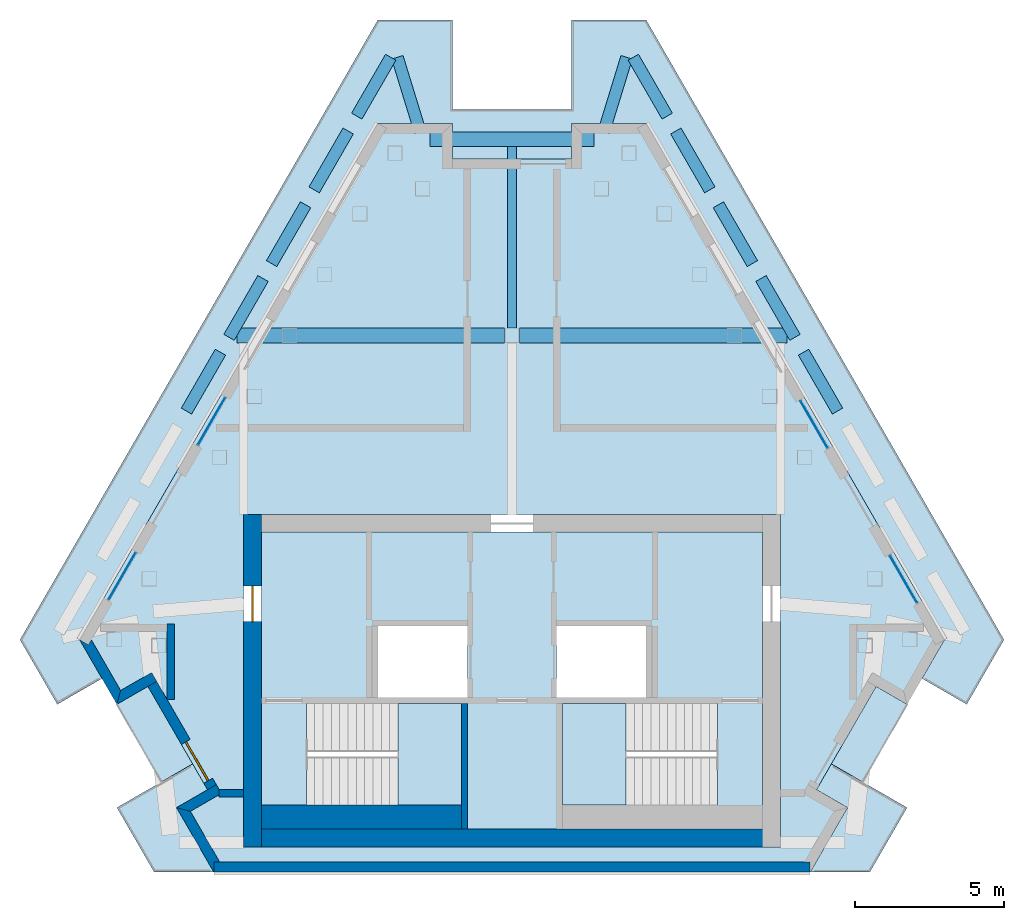
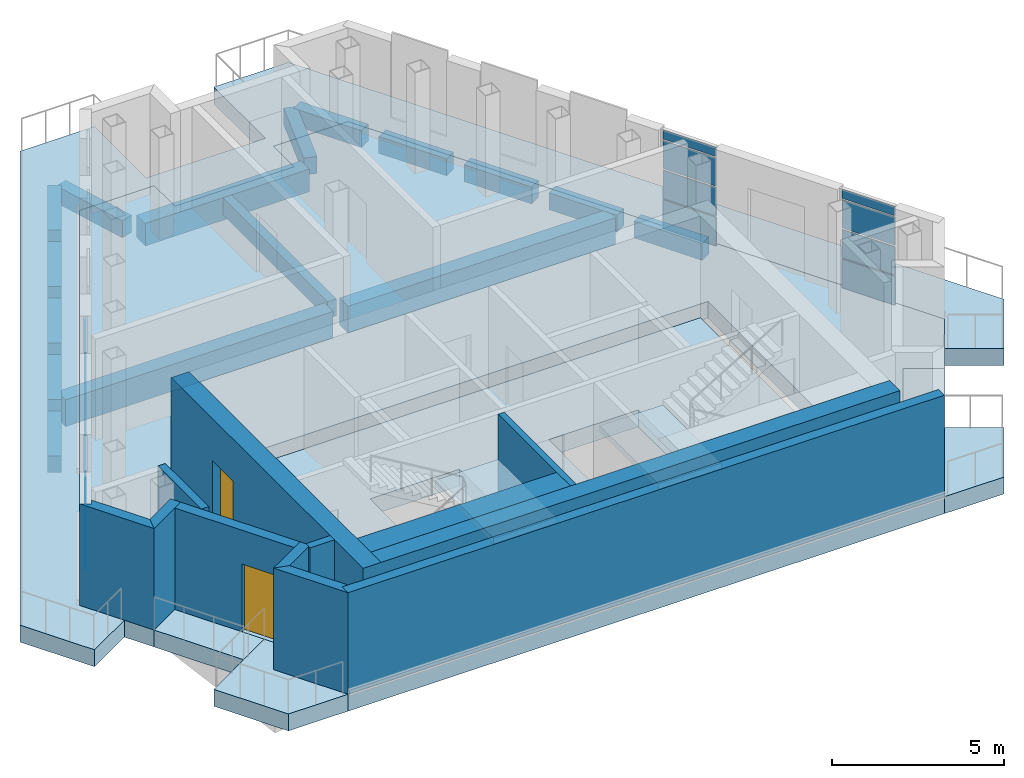
# One storey, part 4 of 7: 16 beams, 16 plates, 12 walls, 9 slabs, 2 doors, 2 openings, 6 elements without a shape of their own.
"""IFC4 building model written with IfcOpenShell, lengths in metres."""

from ifc_helpers import new_model, si_unit, direction, frame, frame_2d, origin, origin_2d, place, context, subcontext, project, spatial, polyline, rectangle, outline, extrude, material, layer, layer_set, material_profile, profile_set, type_object, element, fill, aggregate, save


model = new_model("IFC4")

# Units and contexts
model_context = context("Model", 3, precision=1e-05, world=origin(), true_north=direction((0.0, 1.0)))
body_context = subcontext(model_context, "Body", "Model", "MODEL_VIEW")
ifc_project = project(units=[si_unit("LENGTHUNIT", "METRE"), si_unit("AREAUNIT", "SQUARE_METRE"), si_unit("VOLUMEUNIT", "CUBIC_METRE"), si_unit("PLANEANGLEUNIT", "RADIAN"), si_unit("MASSUNIT", "GRAM", prefix="KILO")], contexts=[model_context])

# Site, building, storey
site_placement = place(None, origin())
site = spatial("IfcSite", under=ifc_project, at=site_placement, CompositionType="ELEMENT")
building_placement = place(site_placement, origin())
building = spatial("IfcBuilding", under=site, at=building_placement, Name="Fogline Exchange Tower", CompositionType="ELEMENT")
storey_placement = place(building_placement, frame((0.0, 0.0, 359.60009765625)))
storey = spatial("IfcBuildingStorey", under=building, at=storey_placement, Name="L81", CompositionType="ELEMENT", Elevation=359.60009765625)

# Beams
ifc_material_1 = material(Name="Concrete C40", Category="concrete")
ifc_material_profile_1 = material_profile(ifc_material_1, rectangle(XDim=0.300048828125, YDim=0.60009765625, at=origin_2d()), Name="RC 300x600")
ifc_profile_set_1 = profile_set([ifc_material_profile_1], Name="Concrete C40")
beam_type_1 = type_object("IfcBeamType", Name="B06", PredefinedType="BEAM", material=ifc_profile_set_1)
beam_1_placement = place(storey_placement, frame((0.0, 18.25, -0.900146484375), z_axis=(0.0, 1.0, 0.0), x_axis=(-1.0, 0.0, 0.0)))
element("IfcBeam", 1, at=beam_1_placement, inside=storey, type_object=beam_type_1, Name="SB003", PredefinedType="BEAM", context=body_context, shape_type="SweptSolid", body=[
    extrude(rectangle(XDim=0.300048828125, YDim=0.60009765625, at=origin_2d()), origin(), (0.0, 0.0, 1.0), 6.078857421875),
])
ifc_material_profile_2 = material_profile(ifc_material_1, rectangle(XDim=0.5, YDim=0.800048828125, at=origin_2d()), Name="RC 500x800")
ifc_profile_set_2 = profile_set([ifc_material_profile_2], Name="Concrete C40")
beam_type_2 = type_object("IfcBeamType", Name="B10", PredefinedType="BEAM", material=ifc_profile_set_2)
beam_2_placement = place(storey_placement, frame((2.75, 24.578857421875, -1.0), z_axis=(-1.0, 0.0, 0.0), x_axis=(0.0, -1.0, 0.0)))
element("IfcBeam", 2, at=beam_2_placement, inside=storey, type_object=beam_type_2, Name="RB016", PredefinedType="BEAM", context=body_context, shape_type="SweptSolid", body=[
    extrude(rectangle(XDim=0.5, YDim=0.800048828125, at=origin_2d()), origin(), (0.0, 0.0, 1.0), 5.5),
])
ifc_material_profile_3 = material_profile(ifc_material_1, rectangle(XDim=0.39990234375, YDim=0.60009765625, at=origin_2d()), Name="RC 400x600")
ifc_profile_set_3 = profile_set([ifc_material_profile_3], Name="Concrete C40")
beam_type_3 = type_object("IfcBeamType", Name="B11", PredefinedType="BEAM", material=ifc_profile_set_3)
for number, where, z_axis, x_axis, name in (
    (3, (10.91748046875, 15.46337890625, -0.900146484375), (-0.499988356774, 0.8660321259, 0.0), (-0.8660321259, -0.499988356774, 0.0), "RB010"),
    (4, (9.489501953125, 17.9365234375, -0.900146484375), (-0.499907982315, 0.866078523702, 0.0), (-0.866078523702, -0.499907982315, 0.0), "RB011"),
    (5, (8.061767578125, 20.40966796875, -0.900146484375), (-0.499988356774, 0.8660321259, 0.0), (-0.8660321259, -0.499988356774, 0.0), "RB012"),
):
    element("IfcBeam", number, at=place(storey_placement, frame(where, z_axis=z_axis, x_axis=x_axis)), inside=storey, type_object=beam_type_3, Name=name, PredefinedType="BEAM", context=body_context, shape_type="SweptSolid", body=[
        extrude(rectangle(XDim=0.39990234375, YDim=0.60009765625, at=origin_2d()), origin(), (0.0, 0.0, 1.0), 2.2783203125),
    ])
beam_3_placement = place(storey_placement, frame((6.634033203125, 22.8828125, -0.900146484375), z_axis=(-0.500034759408, 0.866005334501, 0.0), x_axis=(-0.866005334501, -0.500034759408, 0.0)))
element("IfcBeam", 6, at=beam_3_placement, inside=storey, type_object=beam_type_3, Name="RB013", PredefinedType="BEAM", context=body_context, shape_type="SweptSolid", body=[
    extrude(rectangle(XDim=0.39990234375, YDim=0.60009765625, at=origin_2d()), origin(), (0.0, 0.0, 1.0), 2.278076171875),
])
beam_4_placement = place(storey_placement, frame((5.2060546875, 25.355712890625, -0.900146484375), z_axis=(-0.499988356774, 0.8660321259, 0.0), x_axis=(-0.8660321259, -0.499988356774, 0.0)))
element("IfcBeam", 7, at=beam_4_placement, inside=storey, type_object=beam_type_3, Name="RB014", PredefinedType="BEAM", context=body_context, shape_type="SweptSolid", body=[
    extrude(rectangle(XDim=0.39990234375, YDim=0.60009765625, at=origin_2d()), origin(), (0.0, 0.0, 1.0), 2.2783203125),
])
for number, where, z_axis, x_axis, name in (
    (8, (3.845703125, 27.328857421875, -0.900146484375), (-0.293934983794, -0.955825415702, 0.0), (0.955825415702, -0.293934983794, 0.0), "RB015"),
    (9, (-3.076904296875, 24.828857421875, -0.900146484375), (-0.293934983794, 0.955825415702, 0.0), (-0.955825415702, -0.293934983794, 0.0), "RB017"),
):
    element("IfcBeam", number, at=place(storey_placement, frame(where, z_axis=z_axis, x_axis=x_axis)), inside=storey, type_object=beam_type_3, Name=name, PredefinedType="BEAM", context=body_context, shape_type="SweptSolid", body=[
        extrude(rectangle(XDim=0.39990234375, YDim=0.60009765625, at=origin_2d()), origin(), (0.0, 0.0, 1.0), 2.615478515625),
    ])
beam_5_placement = place(storey_placement, frame((-4.06689453125, 27.328857421875, -0.900146484375), z_axis=(-0.499988356774, -0.8660321259, 0.0), x_axis=(0.8660321259, -0.499988356774, 0.0)))
element("IfcBeam", 10, at=beam_5_placement, inside=storey, type_object=beam_type_3, Name="RB018", PredefinedType="BEAM", context=body_context, shape_type="SweptSolid", body=[
    extrude(rectangle(XDim=0.39990234375, YDim=0.60009765625, at=origin_2d()), origin(), (0.0, 0.0, 1.0), 2.2783203125),
])
beam_6_placement = place(storey_placement, frame((-5.494873046875, 24.855712890625, -0.900146484375), z_axis=(-0.500034759408, -0.866005334501, 0.0), x_axis=(0.866005334501, -0.500034759408, 0.0)))
element("IfcBeam", 11, at=beam_6_placement, inside=storey, type_object=beam_type_3, Name="RB019", PredefinedType="BEAM", context=body_context, shape_type="SweptSolid", body=[
    extrude(rectangle(XDim=0.39990234375, YDim=0.60009765625, at=origin_2d()), origin(), (0.0, 0.0, 1.0), 2.278076171875),
])
for number, where, z_axis, x_axis, name in (
    (12, (-6.922607421875, 22.3828125, -0.900146484375), (-0.499988356774, -0.8660321259, 0.0), (0.8660321259, -0.499988356774, 0.0), "RB020"),
    (13, (-8.3505859375, 19.90966796875, -0.900146484375), (-0.499907982315, -0.866078523702, 0.0), (0.866078523702, -0.499907982315, 0.0), "RB021"),
    (14, (-9.7783203125, 17.4365234375, -0.900146484375), (-0.499988356774, -0.8660321259, 0.0), (0.8660321259, -0.499988356774, 0.0), "RB022"),
):
    element("IfcBeam", number, at=place(storey_placement, frame(where, z_axis=z_axis, x_axis=x_axis)), inside=storey, type_object=beam_type_3, Name=name, PredefinedType="BEAM", context=body_context, shape_type="SweptSolid", body=[
        extrude(rectangle(XDim=0.39990234375, YDim=0.60009765625, at=origin_2d()), origin(), (0.0, 0.0, 1.0), 2.2783203125),
    ])
ifc_material_profile_4 = material_profile(ifc_material_1, rectangle(XDim=0.5, YDim=0.949951171875, at=origin_2d()), Name="RC 500x950")
ifc_profile_set_4 = profile_set([ifc_material_profile_4], Name="Concrete C40")
beam_type_4 = type_object("IfcBeamType", Name="B14", PredefinedType="BEAM", material=ifc_profile_set_4)
for number, where, z_axis, x_axis, name in (
    (15, (-9.22216796875, 18.0, -1.0751953125), (1.0, 0.0, 0.0), (0.0, 1.0, 0.0), "GB003"),
    (16, (0.25, 18.0, -1.0751953125), (1.0, 0.0, 0.0), (0.0, 1.0, 0.0), "GB004"),
):
    element("IfcBeam", number, at=place(storey_placement, frame(where, z_axis=z_axis, x_axis=x_axis)), inside=storey, type_object=beam_type_4, Name=name, PredefinedType="BEAM", context=body_context, shape_type="SweptSolid", body=[
        extrude(rectangle(XDim=0.5, YDim=0.949951171875, at=origin_2d()), origin(), (0.0, 0.0, 1.0), 8.97216796875),
    ])

# Curtain wall, plates
ifc_material_2 = material(Name="Aluminium and glass", Category="aluminium")
curtain_wall_type = type_object("IfcCurtainWallType", Name="CW6", PredefinedType="NOTDEFINED", material=ifc_material_2)
curtain_wall_1_placement = place(storey_placement, origin())
curtain_wall_1 = element("IfcCurtainWall", 17, at=curtain_wall_1_placement, inside=storey, type_object=curtain_wall_type, Name="CW6 L81 E run 1", PredefinedType="NOTDEFINED")
ifc_material_3 = material(Name="Glass", Category="glass")
ifc_layer_1 = layer(ifc_material_3, 0.02587890625)
ifc_layer_set_1 = layer_set([ifc_layer_1], Name="CW6-P")
plate_type = type_object("IfcPlateType", Name="CW6-P", PredefinedType="CURTAIN_PANEL", material=ifc_layer_set_1)
plate_1_placement = place(storey_placement, frame((13.131591796875, 9.824462890625, 0.054931640625), z_axis=(0.0, 0.0, 1.0), x_axis=(-0.500001811561, 0.866024357877, 0.0)))
plate_1 = element("IfcPlate", 18, at=plate_1_placement, type_object=plate_type, Name="CW6-L81-01 panel 1.1", PredefinedType="CURTAIN_PANEL", context=body_context, shape_type="SweptSolid", body=[
    extrude(rectangle(XDim=1.784912109375, YDim=0.02587890625, at=origin_2d()), origin(), (0.0, 0.0, 1.0), 1.017578125),
])
plate_2_placement = place(storey_placement, frame((13.131591796875, 9.824462890625, 1.12744140625), z_axis=(0.0, 0.0, 1.0), x_axis=(-0.500001811561, 0.866024357877, 0.0)))
plate_2 = element("IfcPlate", 19, at=plate_2_placement, type_object=plate_type, Name="CW6-L81-01 panel 1.2", PredefinedType="CURTAIN_PANEL", context=body_context, shape_type="SweptSolid", body=[
    extrude(rectangle(XDim=1.784912109375, YDim=0.02587890625, at=origin_2d()), origin(), (0.0, 0.0, 1.0), 0.9951171875),
])
plate_3_placement = place(storey_placement, frame((13.131591796875, 9.824462890625, 2.17724609375), z_axis=(0.0, 0.0, 1.0), x_axis=(-0.500001811561, 0.866024357877, 0.0)))
plate_3 = element("IfcPlate", 20, at=plate_3_placement, type_object=plate_type, Name="CW6-L81-01 panel 1.3", PredefinedType="CURTAIN_PANEL", context=body_context, shape_type="SweptSolid", body=[
    extrude(rectangle(XDim=1.784912109375, YDim=0.02587890625, at=origin_2d()), origin(), (0.0, 0.0, 1.0), 0.9951171875),
])
plate_4_placement = place(storey_placement, frame((13.131591796875, 9.824462890625, 3.2275390625), z_axis=(0.0, 0.0, 1.0), x_axis=(-0.500001811561, 0.866024357877, 0.0)))
plate_4 = element("IfcPlate", 21, at=plate_4_placement, type_object=plate_type, Name="CW6-L81-01 panel 1.4", PredefinedType="CURTAIN_PANEL", context=body_context, shape_type="SweptSolid", body=[
    extrude(rectangle(XDim=1.784912109375, YDim=0.02587890625, at=origin_2d()), origin(), (0.0, 0.0, 1.0), 0.3173828125),
])
aggregate(curtain_wall_1, [plate_1, plate_2, plate_3, plate_4])

curtain_wall_2_placement = place(storey_placement, origin())
curtain_wall_2 = element("IfcCurtainWall", 22, at=curtain_wall_2_placement, inside=storey, type_object=curtain_wall_type, Name="CW6 L81 E run 2", PredefinedType="NOTDEFINED")
plate_5_placement = place(storey_placement, frame((10.131591796875, 15.020751953125, 0.054931640625), z_axis=(0.0, 0.0, 1.0), x_axis=(-0.499999514416, 0.866025684137, 0.0)))
plate_5 = element("IfcPlate", 23, at=plate_5_placement, type_object=plate_type, Name="CW6-L81-02 panel 1.1", PredefinedType="CURTAIN_PANEL", context=body_context, shape_type="SweptSolid", body=[
    extrude(rectangle(XDim=1.784912109375, YDim=0.02587890625, at=origin_2d()), origin(), (0.0, 0.0, 1.0), 1.017578125),
])
plate_6_placement = place(storey_placement, frame((10.131591796875, 15.020751953125, 1.12744140625), z_axis=(0.0, 0.0, 1.0), x_axis=(-0.499999514416, 0.866025684137, 0.0)))
plate_6 = element("IfcPlate", 24, at=plate_6_placement, type_object=plate_type, Name="CW6-L81-02 panel 1.2", PredefinedType="CURTAIN_PANEL", context=body_context, shape_type="SweptSolid", body=[
    extrude(rectangle(XDim=1.784912109375, YDim=0.02587890625, at=origin_2d()), origin(), (0.0, 0.0, 1.0), 0.9951171875),
])
plate_7_placement = place(storey_placement, frame((10.131591796875, 15.020751953125, 2.17724609375), z_axis=(0.0, 0.0, 1.0), x_axis=(-0.499999514416, 0.866025684137, 0.0)))
plate_7 = element("IfcPlate", 25, at=plate_7_placement, type_object=plate_type, Name="CW6-L81-02 panel 1.3", PredefinedType="CURTAIN_PANEL", context=body_context, shape_type="SweptSolid", body=[
    extrude(rectangle(XDim=1.784912109375, YDim=0.02587890625, at=origin_2d()), origin(), (0.0, 0.0, 1.0), 0.9951171875),
])
plate_8_placement = place(storey_placement, frame((10.131591796875, 15.020751953125, 3.2275390625), z_axis=(0.0, 0.0, 1.0), x_axis=(-0.499999514416, 0.866025684137, 0.0)))
plate_8 = element("IfcPlate", 26, at=plate_8_placement, type_object=plate_type, Name="CW6-L81-02 panel 1.4", PredefinedType="CURTAIN_PANEL", context=body_context, shape_type="SweptSolid", body=[
    extrude(rectangle(XDim=1.784912109375, YDim=0.02587890625, at=origin_2d()), origin(), (0.0, 0.0, 1.0), 0.3173828125),
])
aggregate(curtain_wall_2, [plate_5, plate_6, plate_7, plate_8])

curtain_wall_3_placement = place(storey_placement, origin())
curtain_wall_3 = element("IfcCurtainWall", 27, at=curtain_wall_3_placement, inside=storey, type_object=curtain_wall_type, Name="CW6 L81 W run 1", PredefinedType="NOTDEFINED")
plate_9_placement = place(storey_placement, frame((-10.073974609375, 15.120361328125, 0.054931640625), z_axis=(0.0, 0.0, 1.0), x_axis=(-0.499999514416, -0.866025684137, 0.0)))
plate_9 = element("IfcPlate", 28, at=plate_9_placement, type_object=plate_type, Name="CW6-L81-03 panel 1.1", PredefinedType="CURTAIN_PANEL", context=body_context, shape_type="SweptSolid", body=[
    extrude(rectangle(XDim=1.784912109375, YDim=0.02587890625, at=origin_2d()), origin(), (0.0, 0.0, 1.0), 1.017578125),
])
plate_10_placement = place(storey_placement, frame((-10.073974609375, 15.120361328125, 1.12744140625), z_axis=(0.0, 0.0, 1.0), x_axis=(-0.499999514416, -0.866025684137, 0.0)))
plate_10 = element("IfcPlate", 29, at=plate_10_placement, type_object=plate_type, Name="CW6-L81-03 panel 1.2", PredefinedType="CURTAIN_PANEL", context=body_context, shape_type="SweptSolid", body=[
    extrude(rectangle(XDim=1.784912109375, YDim=0.02587890625, at=origin_2d()), origin(), (0.0, 0.0, 1.0), 0.9951171875),
])
plate_11_placement = place(storey_placement, frame((-10.073974609375, 15.120361328125, 2.17724609375), z_axis=(0.0, 0.0, 1.0), x_axis=(-0.499999514416, -0.866025684137, 0.0)))
plate_11 = element("IfcPlate", 30, at=plate_11_placement, type_object=plate_type, Name="CW6-L81-03 panel 1.3", PredefinedType="CURTAIN_PANEL", context=body_context, shape_type="SweptSolid", body=[
    extrude(rectangle(XDim=1.784912109375, YDim=0.02587890625, at=origin_2d()), origin(), (0.0, 0.0, 1.0), 0.9951171875),
])
plate_12_placement = place(storey_placement, frame((-10.073974609375, 15.120361328125, 3.2275390625), z_axis=(0.0, 0.0, 1.0), x_axis=(-0.499999514416, -0.866025684137, 0.0)))
plate_12 = element("IfcPlate", 31, at=plate_12_placement, type_object=plate_type, Name="CW6-L81-03 panel 1.4", PredefinedType="CURTAIN_PANEL", context=body_context, shape_type="SweptSolid", body=[
    extrude(rectangle(XDim=1.784912109375, YDim=0.02587890625, at=origin_2d()), origin(), (0.0, 0.0, 1.0), 0.3173828125),
])
aggregate(curtain_wall_3, [plate_9, plate_10, plate_11, plate_12])

curtain_wall_4_placement = place(storey_placement, origin())
curtain_wall_4 = element("IfcCurtainWall", 32, at=curtain_wall_4_placement, inside=storey, type_object=curtain_wall_type, Name="CW6 L81 W run 2", PredefinedType="NOTDEFINED")
plate_13_placement = place(storey_placement, frame((-13.073974609375, 9.924072265625, 0.054931640625), z_axis=(0.0, 0.0, 1.0), x_axis=(-0.499999514416, -0.866025684137, 0.0)))
plate_13 = element("IfcPlate", 33, at=plate_13_placement, type_object=plate_type, Name="CW6-L81-04 panel 1.1", PredefinedType="CURTAIN_PANEL", context=body_context, shape_type="SweptSolid", body=[
    extrude(rectangle(XDim=1.784912109375, YDim=0.02587890625, at=origin_2d()), origin(), (0.0, 0.0, 1.0), 1.017578125),
])
plate_14_placement = place(storey_placement, frame((-13.073974609375, 9.924072265625, 1.12744140625), z_axis=(0.0, 0.0, 1.0), x_axis=(-0.499999514416, -0.866025684137, 0.0)))
plate_14 = element("IfcPlate", 34, at=plate_14_placement, type_object=plate_type, Name="CW6-L81-04 panel 1.2", PredefinedType="CURTAIN_PANEL", context=body_context, shape_type="SweptSolid", body=[
    extrude(rectangle(XDim=1.784912109375, YDim=0.02587890625, at=origin_2d()), origin(), (0.0, 0.0, 1.0), 0.9951171875),
])
plate_15_placement = place(storey_placement, frame((-13.073974609375, 9.924072265625, 2.17724609375), z_axis=(0.0, 0.0, 1.0), x_axis=(-0.499999514416, -0.866025684137, 0.0)))
plate_15 = element("IfcPlate", 35, at=plate_15_placement, type_object=plate_type, Name="CW6-L81-04 panel 1.3", PredefinedType="CURTAIN_PANEL", context=body_context, shape_type="SweptSolid", body=[
    extrude(rectangle(XDim=1.784912109375, YDim=0.02587890625, at=origin_2d()), origin(), (0.0, 0.0, 1.0), 0.9951171875),
])
plate_16_placement = place(storey_placement, frame((-13.073974609375, 9.924072265625, 3.2275390625), z_axis=(0.0, 0.0, 1.0), x_axis=(-0.499999514416, -0.866025684137, 0.0)))
plate_16 = element("IfcPlate", 36, at=plate_16_placement, type_object=plate_type, Name="CW6-L81-04 panel 1.4", PredefinedType="CURTAIN_PANEL", context=body_context, shape_type="SweptSolid", body=[
    extrude(rectangle(XDim=1.784912109375, YDim=0.02587890625, at=origin_2d()), origin(), (0.0, 0.0, 1.0), 0.3173828125),
])
aggregate(curtain_wall_4, [plate_13, plate_14, plate_15, plate_16])

# Slabs
ifc_layer_2 = layer(ifc_material_1, 0.60009765625)
ifc_layer_set_2 = layer_set([ifc_layer_2], Name="DK5")
slab_type_1 = type_object("IfcSlabType", Name="DK5", PredefinedType="FLOOR", material=ifc_layer_set_2)
slab_1_placement = place(storey_placement, frame((0.0, 0.0, -0.60009765625)))
element("IfcSlab", 37, at=slab_1_placement, inside=storey, type_object=slab_type_1, Name="Niche terrace L81 SW", PredefinedType="FLOOR", context=body_context, shape_type="SweptSolid", body=[
    extrude(outline(polyline([(-13.25, 5.629150390625), (-11.75, 3.031005859375), (-10.710693359375, 3.631103515625), (-10.210693359375, 2.76513671875), (-12.210693359375, 6.229248046875), (-13.25, 5.629150390625)])), origin(), (0.0, 0.0, 1.0), 0.60009765625),
])
slab_2_placement = place(storey_placement, frame((0.0, 0.0, -0.60009765625)))
element("IfcSlab", 38, at=slab_2_placement, inside=storey, type_object=slab_type_1, Name="Niche terrace L81 SE", PredefinedType="FLOOR", context=body_context, shape_type="SweptSolid", body=[
    extrude(outline(polyline([(13.25, 5.629150390625), (12.210693359375, 6.229248046875), (10.210693359375, 2.76513671875), (10.710693359375, 3.631103515625), (11.75, 3.031005859375), (13.25, 5.629150390625)])), origin(), (0.0, 0.0, 1.0), 0.60009765625),
])
ifc_layer_3 = layer(ifc_material_1, 0.60009765625)
ifc_layer_set_3 = layer_set([ifc_layer_3], Name="S09")
slab_type_2 = type_object("IfcSlabType", Name="S09", PredefinedType="FLOOR", material=ifc_layer_set_3)
slab_3_placement = place(storey_placement, frame((0.0, 0.0, -0.60009765625)))
element("IfcSlab", 39, at=slab_3_placement, inside=storey, type_object=slab_type_2, Name="TRANSFER SLAB L81", PredefinedType="FLOOR", context=body_context, shape_type="SweptSolid", body=[
    extrude(outline(polyline([(-4.5, 25.11474609375), (-14.5, 7.794189453125), (-13.25, 5.629150390625), (-12.210693359375, 6.229248046875), (-10.210693359375, 2.76513671875), (-11.25, 2.1650390625), (-10.0, 0.0), (10.0, 0.0), (11.25, 2.1650390625), (10.210693359375, 2.76513671875), (12.210693359375, 6.229248046875), (13.25, 5.629150390625), (14.5, 7.794189453125), (4.5, 25.11474609375), (2.0, 25.11474609375), (2.0, 23.914794921875), (-2.0, 23.914794921875), (-2.0, 25.11474609375), (-4.5, 25.11474609375)]), holes=[polyline([(9.0, 0.85009765625), (-9.0, 0.85009765625), (-9.0, 12.0), (9.0, 12.0), (9.0, 0.85009765625)])]), origin(), (0.0, 0.0, 1.0), 0.60009765625),
])
slab_4_placement = place(storey_placement, frame((0.0, 0.0, -0.60009765625)))
element("IfcSlab", 40, at=slab_4_placement, inside=storey, type_object=slab_type_2, Name="Core floor slab", PredefinedType="FLOOR", context=body_context, shape_type="SweptSolid", body=[
    extrude(outline(polyline([(-8.39990234375, 11.39990234375), (8.39990234375, 11.39990234375), (8.39990234375, 1.449951171875), (-8.39990234375, 1.449951171875), (-8.39990234375, 11.39990234375)]), holes=[polyline([(-6.889892578125, 2.25), (-1.699951171875, 2.25), (-1.699951171875, 5.64990234375), (-6.889892578125, 5.64990234375), (-6.889892578125, 2.25)]), polyline([(1.699951171875, 2.25), (6.889892578125, 2.25), (6.889892578125, 5.64990234375), (1.699951171875, 5.64990234375), (1.699951171875, 2.25)]), polyline([(-4.5, 5.85009765625), (-1.5, 5.85009765625), (-1.5, 8.25), (-4.5, 8.25), (-4.5, 5.85009765625)]), polyline([(1.5, 5.85009765625), (4.5, 5.85009765625), (4.5, 8.25), (1.5, 8.25), (1.5, 5.85009765625)])]), origin(), (0.0, 0.0, 1.0), 0.60009765625),
])
ifc_layer_4 = layer(ifc_material_1, 0.60009765625)
ifc_layer_set_4 = layer_set([ifc_layer_4], Name="S10")
slab_type_3 = type_object("IfcSlabType", Name="S10", PredefinedType="FLOOR", material=ifc_layer_set_4)
slab_5_placement = place(storey_placement, frame((0.0, 0.0, -0.60009765625)))
element("IfcSlab", 41, at=slab_5_placement, inside=storey, type_object=slab_type_3, Name="SLAB L81 TERRACE", PredefinedType="FLOOR", context=body_context, shape_type="SweptSolid", body=[
    extrude(outline(polyline([(-15.25, 5.629150390625), (-13.75, 6.4951171875), (-14.5, 7.794189453125), (-4.5, 25.11474609375), (-2.0, 25.11474609375), (-2.0, 23.914794921875), (2.0, 23.914794921875), (2.0, 25.11474609375), (4.5, 25.11474609375), (14.5, 7.794189453125), (13.75, 6.4951171875), (15.25, 5.629150390625), (16.5, 7.794189453125), (4.5, 28.578857421875), (2.0, 28.578857421875), (2.0, 25.578857421875), (-2.0, 25.578857421875), (-2.0, 28.578857421875), (-4.5, 28.578857421875), (-16.5, 7.794189453125), (-15.25, 5.629150390625)])), origin(), (0.0, 0.0, 1.0), 0.60009765625),
])
slab_6_placement = place(storey_placement, frame((0.0, 0.0, -0.60009765625)))
element("IfcSlab", 42, at=slab_6_placement, inside=storey, type_object=slab_type_3, Name="SLAB L81 TERRACE", PredefinedType="FLOOR", context=body_context, shape_type="SweptSolid", body=[
    extrude(outline(polyline([(-12.0, 0.0), (-10.0, 0.0), (-11.25, 2.1650390625), (-10.210693359375, 2.76513671875), (-10.710693359375, 3.631103515625), (-13.25, 2.1650390625), (-12.0, 0.0)])), origin(), (0.0, 0.0, 1.0), 0.60009765625),
])
slab_7_placement = place(storey_placement, frame((0.0, 0.0, -0.60009765625)))
element("IfcSlab", 43, at=slab_7_placement, inside=storey, type_object=slab_type_3, Name="SLAB L81 TERRACE", PredefinedType="FLOOR", context=body_context, shape_type="SweptSolid", body=[
    extrude(outline(polyline([(13.25, 2.1650390625), (10.710693359375, 3.631103515625), (10.210693359375, 2.76513671875), (11.25, 2.1650390625), (10.0, 0.0), (12.0, 0.0), (13.25, 2.1650390625)])), origin(), (0.0, 0.0, 1.0), 0.60009765625),
])

# Stair, slab
stair_type = type_object("IfcStairType", Name="STR24-1667", PredefinedType="HALF_TURN_STAIR", material=ifc_material_1)
stair_1_placement = place(storey_placement, origin())
stair_1 = element("IfcStair", 44, at=stair_1_placement, inside=storey, type_object=stair_type, Name="Stair CS1", PredefinedType="HALF_TURN_STAIR")
ifc_layer_5 = layer(ifc_material_1, 0.199951171875)
ifc_layer_set_5 = layer_set([ifc_layer_5], Name="SL200")
slab_type_4 = type_object("IfcSlabType", Name="SL200", PredefinedType="LANDING", material=ifc_layer_set_5)
slab_8_placement = place(storey_placement, frame((0.0, 0.0, 1.7998046875)))
slab_8 = element("IfcSlab", 45, at=slab_8_placement, type_object=slab_type_4, Name="CS1 landing 1", PredefinedType="LANDING", context=body_context, shape_type="SweptSolid", body=[
    extrude(outline(polyline([(-3.820068359375, 2.25), (-1.699951171875, 2.25), (-1.699951171875, 5.64990234375), (-3.820068359375, 5.64990234375), (-3.820068359375, 2.25)])), origin(), (0.0, 0.0, 1.0), 0.2001953125),
])
aggregate(stair_1, [slab_8])

stair_2_placement = place(storey_placement, origin())
stair_2 = element("IfcStair", 46, at=stair_2_placement, inside=storey, type_object=stair_type, Name="Stair CS2", PredefinedType="HALF_TURN_STAIR")
slab_9_placement = place(storey_placement, frame((0.0, 0.0, 1.7998046875)))
slab_9 = element("IfcSlab", 47, at=slab_9_placement, type_object=slab_type_4, Name="CS2 landing 1", PredefinedType="LANDING", context=body_context, shape_type="SweptSolid", body=[
    extrude(outline(polyline([(1.699951171875, 2.25), (3.820068359375, 2.25), (3.820068359375, 5.64990234375), (1.699951171875, 5.64990234375), (1.699951171875, 2.25)])), origin(), (0.0, 0.0, 1.0), 0.2001953125),
])
aggregate(stair_2, [slab_9])

# Walls
ifc_layer_6 = layer(ifc_material_1, 0.199951171875)
ifc_layer_set_6 = layer_set([ifc_layer_6], Name="CW20R")
wall_type_1 = type_object("IfcWallType", Name="CW20R", PredefinedType="SOLIDWALL", material=ifc_layer_set_6)
wall_1_placement = place(storey_placement, frame((-1.60009765625, 1.449951171875, -0.60009765625), z_axis=(0.0, 0.0, 1.0), x_axis=(0.0, 1.0, 0.0)))
element("IfcWall", 48, at=wall_1_placement, inside=storey, type_object=wall_type_1, Name="Stair enclosure wall", PredefinedType="SOLIDWALL", context=body_context, shape_type="SweptSolid", body=[
    extrude(rectangle(XDim=4.199951171875, YDim=0.199951171875, at=frame_2d((2.10009765625, 0.0))), origin(), (0.0, 0.0, 1.0), 4.199951171875),
])
ifc_layer_7 = layer(ifc_material_1, 0.800048828125)
ifc_layer_set_7 = layer_set([ifc_layer_7], Name="CW80R")
wall_type_2 = type_object("IfcWallType", Name="CW80R", PredefinedType="SOLIDWALL", material=ifc_layer_set_7)
wall_2_placement = place(storey_placement, frame((-8.39990234375, 1.85009765625, -0.60009765625), z_axis=(0.0, 0.0, 1.0), x_axis=(1.0, 0.0, 0.0)))
element("IfcWall", 49, at=wall_2_placement, inside=storey, type_object=wall_type_2, Name="Stair enclosure wall", PredefinedType="SOLIDWALL", context=body_context, shape_type="SweptSolid", body=[
    extrude(rectangle(XDim=6.699951171875, YDim=0.800048828125, at=frame_2d((3.35009765625, 0.0))), origin(), (0.0, 0.0, 1.0), 4.199951171875),
])
ifc_material_4 = material(Name="Brick masonry", Category="masonry")
ifc_layer_8 = layer(ifc_material_4, 0.340087890625)
ifc_layer_set_8 = layer_set([ifc_layer_8], Name="FW1")
wall_type_3 = type_object("IfcWallType", Name="FW1", PredefinedType="SOLIDWALL", material=ifc_layer_set_8)
wall_3_placement = place(storey_placement, origin())
element("IfcWall", 50, at=wall_3_placement, inside=storey, type_object=wall_type_3, Name="Brick wall L81 SW-c1", PredefinedType="SOLIDWALL", context=body_context, shape_type="SweptSolid", body=[
    extrude(outline(polyline([(-13.25, 5.6279296875), (-14.5009765625, 7.794921875), (-14.500732421875, 7.79541015625), (-14.205810546875, 7.625), (-14.107421875, 7.79541015625), (-13.125, 6.09375), (-13.249755859375, 5.6279296875), (-13.25, 5.6279296875)])), origin(), (0.0, 0.0, 1.0), 3.599853515625),
])
wall_4_placement = place(storey_placement, origin())
element("IfcWall", 51, at=wall_4_placement, inside=storey, type_object=wall_type_3, Name="Brick wall L81 SW-s1", PredefinedType="SOLIDWALL", context=body_context, shape_type="SweptSolid", body=[
    extrude(outline(polyline([(-12.086181640625, 6.6943359375), (-11.91552734375, 6.39892578125), (-12.21044921875, 6.228759765625), (-13.25048828125, 5.628173828125), (-13.250732421875, 5.62841796875), (-13.1259765625, 6.093994140625), (-12.086181640625, 6.6943359375)])), origin(), (0.0, 0.0, 1.0), 3.599853515625),
])

# Wall, opening, door
wall_5_placement = place(storey_placement, frame((-12.0634765625, 6.314208984375, 0.0), z_axis=(0.0, 0.0, 1.0), x_axis=(0.49999894854, -0.866026010844, 0.0)))
wall_5 = element("IfcWall", 52, at=wall_5_placement, inside=storey, type_object=wall_type_3, Name="Brick wall L81 SW-bk", PredefinedType="SOLIDWALL", context=body_context, shape_type="SweptSolid", body=[
    extrude(rectangle(XDim=4.0, YDim=0.340087890625, at=frame_2d((2.0, 0.0))), origin(), (0.0, 0.0, 1.0), 3.599853515625),
])
opening_1_placement = place(wall_5_placement, frame((2.25, 0.0, 0.0)))
opening_1 = element("IfcOpeningElement", 53, at=opening_1_placement, cuts=wall_5, Name="Opening L81-E021", PredefinedType="OPENING", context=body_context, shape_type="SweptSolid", body=[
    extrude(rectangle(XDim=1.5, YDim=2.39990234375, at=frame_2d((0.75, 1.199951171875))), frame((0.0, 0.18017578125, 0.0), z_axis=(0.0, -1.0, 0.0), x_axis=(1.0, 0.0, 0.0)), (0.0, 0.0, 1.0), 0.360107421875),
])
door_type_1 = type_object("IfcDoorType", Name="ED4", OperationType="SINGLE_SWING_LEFT", PredefinedType="DOOR", material=ifc_material_2)
door_1_placement = place(opening_1_placement, frame((1.5, 0.0, 0.0), z_axis=(0.0, 0.0, 1.0), x_axis=(-1.0, 0.0, 0.0)))
door_1 = element("IfcDoor", 54, at=door_1_placement, inside=storey, type_object=door_type_1, Name="Balcony door L81 SW", OperationType="DOUBLE_DOOR_SINGLE_SWING", OverallHeight=2.39990234375, OverallWidth=1.5, PredefinedType="DOOR", context=body_context, shape_type="SweptSolid", body=[
    extrude(rectangle(XDim=1.5, YDim=2.39990234375, at=frame_2d((0.75, 1.199951171875))), frame((0.0, 0.02490234375, 0.0), z_axis=(0.0, -1.0, 0.0), x_axis=(1.0, 0.0, 0.0)), (0.0, 0.0, 1.0), 0.050048828125),
])
fill(opening_1, door_1)

# Walls
wall_6_placement = place(storey_placement, origin())
element("IfcWall", 55, at=wall_6_placement, inside=storey, type_object=wall_type_3, Name="Brick wall L81 SW-s2", PredefinedType="SOLIDWALL", context=body_context, shape_type="SweptSolid", body=[
    extrude(outline(polyline([(-11.251220703125, 2.1650390625), (-10.211181640625, 2.765625), (-9.916015625, 2.935791015625), (-9.74560546875, 2.640380859375), (-10.785400390625, 2.0400390625), (-11.251220703125, 2.164794921875), (-11.251220703125, 2.1650390625)])), origin(), (0.0, 0.0, 1.0), 3.599853515625),
])
wall_7_placement = place(storey_placement, origin())
element("IfcWall", 56, at=wall_7_placement, inside=storey, type_object=wall_type_3, Name="Brick wall L81 SW-c2", PredefinedType="SOLIDWALL", context=body_context, shape_type="SweptSolid", body=[
    extrude(outline(polyline([(-9.802734375, 0.33935546875), (-9.99951171875, 0.33935546875), (-9.99951171875, -0.0009765625), (-10.0, -0.001220703125), (-11.2509765625, 2.165771484375), (-11.2509765625, 2.166015625), (-10.78515625, 2.041015625), (-9.802734375, 0.33935546875)])), origin(), (0.0, 0.0, 1.0), 3.599853515625),
])
wall_8_placement = place(storey_placement, frame((-10.0, 0.169921875, 0.0), z_axis=(0.0, 0.0, 1.0), x_axis=(1.0, 0.0, 0.0)))
element("IfcWall", 57, at=wall_8_placement, inside=storey, type_object=wall_type_3, Name="Brick wall L81 S", PredefinedType="SOLIDWALL", context=body_context, shape_type="SweptSolid", body=[
    extrude(rectangle(XDim=20.0, YDim=0.340087890625, at=frame_2d((10.0, 0.0))), origin(), (0.0, 0.0, 1.0), 3.599853515625),
])
ifc_layer_9 = layer(ifc_material_1, 0.25)
ifc_layer_set_9 = layer_set([ifc_layer_9], Name="PP3")
wall_type_4 = type_object("IfcWallType", Name="PP3", PredefinedType="SOLIDWALL", material=ifc_layer_set_9)
wall_9_placement = place(storey_placement, frame((-11.444580078125, 8.319091796875, 0.0), z_axis=(0.0, 0.0, 1.0), x_axis=(0.0, -1.0, 0.0)))
element("IfcWall", 58, at=wall_9_placement, inside=storey, type_object=wall_type_4, Name="PP3 partition", PredefinedType="SOLIDWALL", context=body_context, shape_type="SweptSolid", body=[
    extrude(rectangle(XDim=2.520263671875, YDim=0.25, at=frame_2d((1.26025390625, 0.0))), origin(), (0.0, 0.0, 1.0), 3.599853515625),
])
wall_10_placement = place(storey_placement, frame((-9.818603515625, 2.640625, 0.0), z_axis=(0.0, 0.0, 1.0), x_axis=(1.0, 0.0, 0.0)))
element("IfcWall", 59, at=wall_10_placement, inside=storey, type_object=wall_type_4, Name="PP3 partition", PredefinedType="SOLIDWALL", context=body_context, shape_type="SweptSolid", body=[
    extrude(rectangle(XDim=0.818603515625, YDim=0.25, at=frame_2d((0.4091796875, 0.0))), origin(), (0.0, 0.0, 1.0), 3.599853515625),
])
ifc_material_5 = material(Name="Concrete C50", Category="concrete")
ifc_layer_10 = layer(ifc_material_5, 0.60009765625)
ifc_layer_set_10 = layer_set([ifc_layer_10], Name="SW05")
wall_type_5 = type_object("IfcWallType", Name="SW05", PredefinedType="SHEAR", material=ifc_layer_set_10)
wall_11_placement = place(storey_placement, frame((-9.0, 1.14990234375, 0.0), z_axis=(0.0, 0.0, 1.0), x_axis=(1.0, 0.0, 0.0)))
element("IfcWall", 60, at=wall_11_placement, inside=storey, type_object=wall_type_5, Name="L81-W901", PredefinedType="SHEAR", context=body_context, shape_type="SweptSolid", body=[
    extrude(rectangle(XDim=18.0, YDim=0.60009765625, at=frame_2d((9.0, 0.0))), origin(), (0.0, 0.0, 1.0), 3.599853515625),
])

# Wall, opening, door
wall_12_placement = place(storey_placement, frame((-8.699951171875, 12.0, 0.0), z_axis=(0.0, 0.0, 1.0), x_axis=(0.0, -1.0, 0.0)))
wall_12 = element("IfcWall", 61, at=wall_12_placement, inside=storey, type_object=wall_type_5, Name="L81-W904", PredefinedType="SHEAR", context=body_context, shape_type="SweptSolid", body=[
    extrude(rectangle(XDim=11.14990234375, YDim=0.60009765625, at=frame_2d((5.574951171875, 0.0))), origin(), (0.0, 0.0, 1.0), 3.599853515625),
])
opening_2_placement = place(wall_12_placement, frame((2.39990234375, 0.0, 0.0)))
opening_2 = element("IfcOpeningElement", 62, at=opening_2_placement, cuts=wall_12, Name="Opening L81-C002", PredefinedType="OPENING", context=body_context, shape_type="SweptSolid", body=[
    extrude(rectangle(XDim=1.199951171875, YDim=2.10009765625, at=frame_2d((0.60009765625, 1.050048828125))), frame((0.0, 0.31005859375, 0.0), z_axis=(0.0, -1.0, 0.0), x_axis=(1.0, 0.0, 0.0)), (0.0, 0.0, 1.0), 0.6201171875),
])
ifc_material_6 = material(Name="Steel and timber fire door", Category="steel")
door_type_2 = type_object("IfcDoorType", Name="D-SV1", OperationType="SINGLE_SWING_LEFT", PredefinedType="DOOR", material=ifc_material_6)
door_2_placement = place(opening_2_placement, origin())
door_2 = element("IfcDoor", 63, at=door_2_placement, inside=storey, type_object=door_type_2, Name="Service door W", OperationType="SINGLE_SWING_LEFT", OverallHeight=2.10009765625, OverallWidth=1.199951171875, PredefinedType="DOOR", context=body_context, shape_type="SweptSolid", body=[
    extrude(rectangle(XDim=1.199951171875, YDim=2.10009765625, at=frame_2d((0.60009765625, 1.050048828125))), frame((0.0, 0.02490234375, 0.0), z_axis=(0.0, -1.0, 0.0), x_axis=(1.0, 0.0, 0.0)), (0.0, 0.0, 1.0), 0.050048828125),
])
fill(opening_2, door_2)

save(model, "model.ifc")
